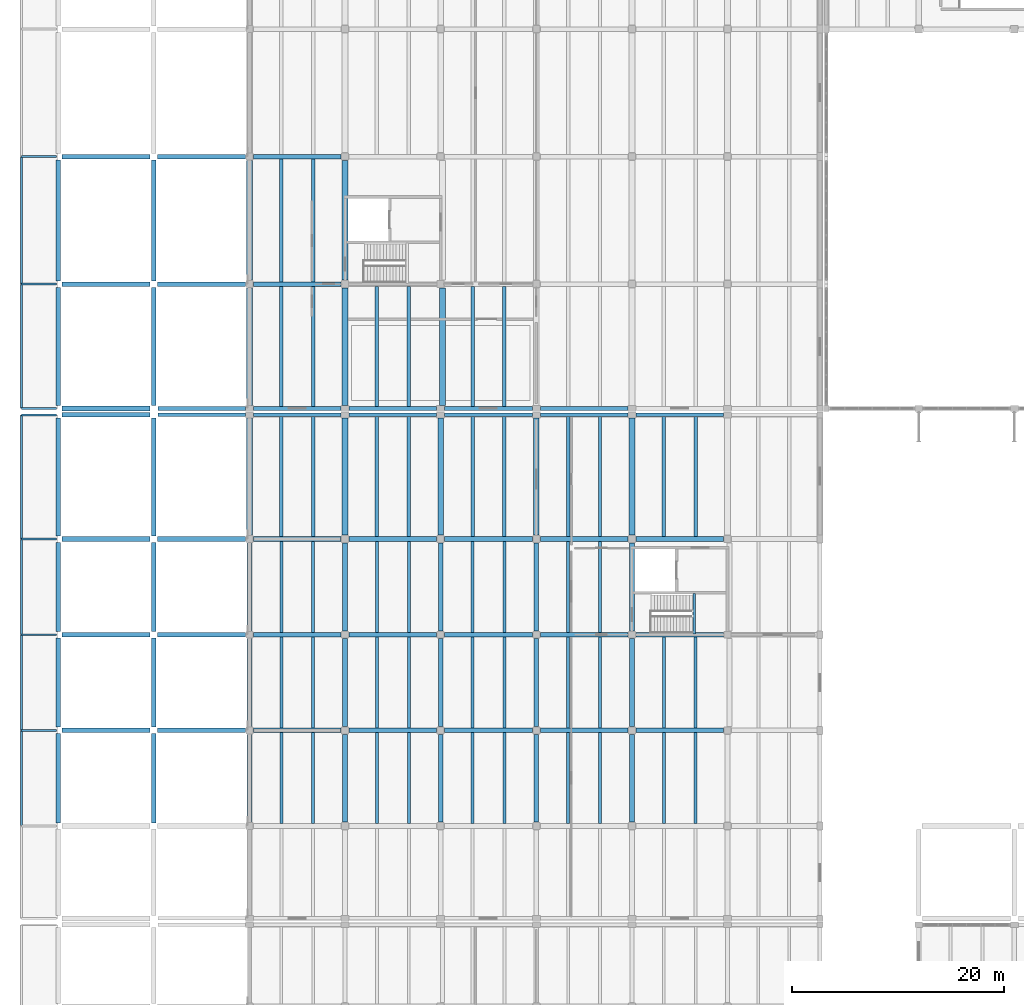
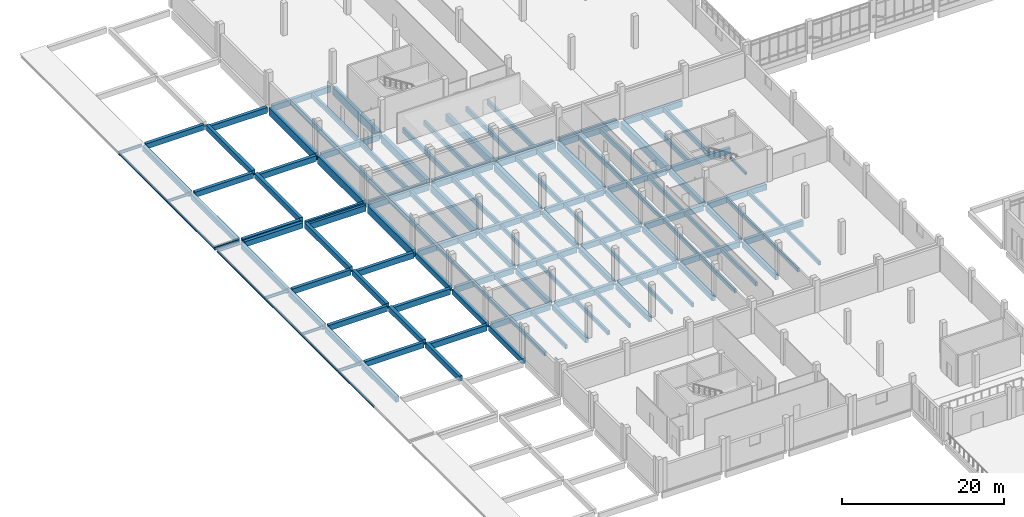
# One storey, part 21 of 110: 137 beams.
"""IFC4 building model written with IfcOpenShell, lengths in metres."""

from ifc_helpers import new_model, si_unit, direction, frame, origin, origin_2d, place, context, subcontext, project, spatial, rectangle, i_section, extrude, material, material_profile, profile_set, type_object, element, save


model = new_model("IFC4")

# Units and contexts
model_context = context("Model", 3, precision=1e-05, world=origin(), true_north=direction((0.0, 1.0)))
body_context = subcontext(model_context, "Body", "Model", "MODEL_VIEW")
ifc_project = project(units=[si_unit("LENGTHUNIT", "METRE"), si_unit("AREAUNIT", "SQUARE_METRE"), si_unit("VOLUMEUNIT", "CUBIC_METRE"), si_unit("PLANEANGLEUNIT", "RADIAN"), si_unit("MASSUNIT", "GRAM", prefix="KILO")], contexts=[model_context])

# Site, building, storey
site_placement = place(None, origin())
site = spatial("IfcSite", under=ifc_project, at=site_placement, CompositionType="ELEMENT")
building_placement = place(site_placement, origin())
building = spatial("IfcBuilding", under=site, at=building_placement, Name="Zacnel Wholesale Market", CompositionType="ELEMENT")
storey_placement = place(building_placement, frame((0.0, 0.0, 6.300048828125)))
storey = spatial("IfcBuildingStorey", under=building, at=storey_placement, Name="L02", CompositionType="ELEMENT", Elevation=6.300048828125)

# Beams
ifc_material_1 = material(Name="Precast concrete C45/55", Category="concrete")
ifc_material_profile_1 = material_profile(ifc_material_1, rectangle(XDim=0.280029296875, YDim=0.60009765625, at=origin_2d()), Name="DT RIB 280x600")
ifc_profile_set_1 = profile_set([ifc_material_profile_1], Name="Precast concrete C45/55")
beam_type_1 = type_object("IfcBeamType", Name="BM-DT600", PredefinedType="JOIST", material=ifc_profile_set_1)
for number, where, z_axis, x_axis, name in (
    (1, (21.0, 57.22509765625, -0.6201171875), (0.0, 1.0, 0.0), (-1.0, 0.0, 0.0), "Precast secondary joist L02-0203"),
    (2, (24.0, 57.22509765625, -0.6201171875), (0.0, 1.0, 0.0), (-1.0, 0.0, 0.0), "Precast secondary joist L02-0204"),
    (3, (30.0, 57.22509765625, -0.6201171875), (0.0, 1.0, 0.0), (-1.0, 0.0, 0.0), "Precast secondary joist L02-0205"),
    (4, (33.0, 57.22509765625, -0.6201171875), (0.0, 1.0, 0.0), (-1.0, 0.0, 0.0), "Precast secondary joist L02-0206"),
    (5, (39.0, 57.22509765625, -0.6201171875), (0.0, 1.0, 0.0), (-1.0, 0.0, 0.0), "Precast secondary joist L02-0207"),
    (6, (42.0, 57.22509765625, -0.6201171875), (0.0, 1.0, 0.0), (-1.0, 0.0, 0.0), "Precast secondary joist L02-0208"),
    (7, (48.0, 57.22509765625, -0.6201171875), (0.0, 1.0, 0.0), (-1.0, 0.0, 0.0), "Precast secondary joist L02-0209"),
    (8, (51.0, 57.22509765625, -0.6201171875), (0.0, 1.0, 0.0), (-1.0, 0.0, 0.0), "Precast secondary joist L02-0210"),
    (9, (57.0, 57.22509765625, -0.6201171875), (0.0, 1.0, 0.0), (-1.0, 0.0, 0.0), "Precast secondary joist L02-0211"),
    (10, (60.0, 57.22509765625, -0.6201171875), (0.0, 1.0, 0.0), (-1.0, 0.0, 0.0), "Precast secondary joist L02-0212"),
    (11, (21.0, 66.22509765625, -0.6201171875), (0.0, 1.0, 0.0), (-1.0, 0.0, 0.0), "Precast secondary joist L02-0223"),
    (12, (24.0, 66.22509765625, -0.6201171875), (0.0, 1.0, 0.0), (-1.0, 0.0, 0.0), "Precast secondary joist L02-0224"),
    (13, (30.0, 66.22509765625, -0.6201171875), (0.0, 1.0, 0.0), (-1.0, 0.0, 0.0), "Precast secondary joist L02-0225"),
    (14, (33.0, 66.22509765625, -0.6201171875), (0.0, 1.0, 0.0), (-1.0, 0.0, 0.0), "Precast secondary joist L02-0226"),
    (15, (39.0, 66.22509765625, -0.6201171875), (0.0, 1.0, 0.0), (-1.0, 0.0, 0.0), "Precast secondary joist L02-0227"),
    (16, (42.0, 66.22509765625, -0.6201171875), (0.0, 1.0, 0.0), (-1.0, 0.0, 0.0), "Precast secondary joist L02-0228"),
    (17, (48.0, 66.22509765625, -0.6201171875), (0.0, 1.0, 0.0), (-1.0, 0.0, 0.0), "Precast secondary joist L02-0229"),
    (18, (51.0, 66.22509765625, -0.6201171875), (0.0, 1.0, 0.0), (-1.0, 0.0, 0.0), "Precast secondary joist L02-0230"),
    (19, (57.0, 66.22509765625, -0.6201171875), (0.0, 1.0, 0.0), (-1.0, 0.0, 0.0), "Precast secondary joist L02-0231"),
    (20, (60.0, 66.22509765625, -0.6201171875), (0.0, 1.0, 0.0), (-1.0, 0.0, 0.0), "Precast secondary joist L02-0232"),
    (21, (21.0, 75.22509765625, -0.6201171875), (0.0, 1.0, 0.0), (-1.0, 0.0, 0.0), "Precast secondary joist L02-0241"),
    (22, (24.0, 75.22509765625, -0.6201171875), (0.0, 1.0, 0.0), (-1.0, 0.0, 0.0), "Precast secondary joist L02-0242"),
    (23, (30.0, 75.22509765625, -0.6201171875), (0.0, 1.0, 0.0), (-1.0, 0.0, 0.0), "Precast secondary joist L02-0243"),
    (24, (33.0, 75.22509765625, -0.6201171875), (0.0, 1.0, 0.0), (-1.0, 0.0, 0.0), "Precast secondary joist L02-0244"),
    (25, (39.0, 75.22509765625, -0.6201171875), (0.0, 1.0, 0.0), (-1.0, 0.0, 0.0), "Precast secondary joist L02-0245"),
    (26, (42.0, 75.22509765625, -0.6201171875), (0.0, 1.0, 0.0), (-1.0, 0.0, 0.0), "Precast secondary joist L02-0246"),
    (27, (48.0, 75.22509765625, -0.6201171875), (0.0, 1.0, 0.0), (-1.0, 0.0, 0.0), "Precast secondary joist L02-0247"),
    (28, (51.0, 75.22509765625, -0.6201171875), (0.0, 1.0, 0.0), (-1.0, 0.0, 0.0), "Precast secondary joist L02-0248"),
):
    element("IfcBeam", number, at=place(storey_placement, frame(where, z_axis=z_axis, x_axis=x_axis)), inside=storey, type_object=beam_type_1, Name=name, PredefinedType="JOIST", context=body_context, shape_type="SweptSolid", body=[
        extrude(rectangle(XDim=0.280029296875, YDim=0.60009765625, at=origin_2d()), origin(), (0.0, 0.0, 1.0), 8.5498046875),
    ])
ifc_material_2 = material(Name="Precast concrete C45/55", Category="concrete")
ifc_material_profile_2 = material_profile(ifc_material_2, rectangle(XDim=0.320068359375, YDim=0.75, at=origin_2d()), Name="DT RIB 320x750")
ifc_profile_set_2 = profile_set([ifc_material_profile_2], Name="Precast concrete C45/55")
beam_type_2 = type_object("IfcBeamType", Name="BM-DT750", PredefinedType="JOIST", material=ifc_profile_set_2)
for number, where, z_axis, x_axis, name in (
    (29, (21.0, 84.22509765625, -0.695068359375), (0.0, 1.0, 0.0), (-1.0, 0.0, 0.0), "Precast secondary joist L02-0259"),
    (30, (24.0, 84.22509765625, -0.695068359375), (0.0, 1.0, 0.0), (-1.0, 0.0, 0.0), "Precast secondary joist L02-0260"),
    (31, (30.0, 84.22509765625, -0.695068359375), (0.0, 1.0, 0.0), (-1.0, 0.0, 0.0), "Precast secondary joist L02-0261"),
    (32, (33.0, 84.22509765625, -0.695068359375), (0.0, 1.0, 0.0), (-1.0, 0.0, 0.0), "Precast secondary joist L02-0262"),
    (33, (39.0, 84.22509765625, -0.695068359375), (0.0, 1.0, 0.0), (-1.0, 0.0, 0.0), "Precast secondary joist L02-0263"),
    (34, (42.0, 84.22509765625, -0.695068359375), (0.0, 1.0, 0.0), (-1.0, 0.0, 0.0), "Precast secondary joist L02-0264"),
    (35, (48.0, 84.22509765625, -0.695068359375), (0.0, 1.0, 0.0), (-1.0, 0.0, 0.0), "Precast secondary joist L02-0265"),
    (36, (51.0, 84.22509765625, -0.695068359375), (0.0, 1.0, 0.0), (-1.0, 0.0, 0.0), "Precast secondary joist L02-0266"),
    (37, (57.0, 84.22509765625, -0.695068359375), (0.0, 1.0, 0.0), (-1.0, 0.0, 0.0), "Precast secondary joist L02-0267"),
    (38, (60.0, 84.22509765625, -0.695068359375), (0.0, 1.0, 0.0), (-1.0, 0.0, 0.0), "Precast secondary joist L02-0268"),
    (39, (21.0, 96.47509765625, -0.695068359375), (0.0, 1.0, 0.0), (-1.0, 0.0, 0.0), "Precast secondary joist L02-0279"),
    (40, (24.0, 96.47509765625, -0.695068359375), (0.0, 1.0, 0.0), (-1.0, 0.0, 0.0), "Precast secondary joist L02-0280"),
    (41, (30.0, 96.47509765625, -0.695068359375), (0.0, 1.0, 0.0), (-1.0, 0.0, 0.0), "Precast secondary joist L02-0281"),
    (42, (33.0, 96.47509765625, -0.695068359375), (0.0, 1.0, 0.0), (-1.0, 0.0, 0.0), "Precast secondary joist L02-0282"),
    (43, (39.0, 96.47509765625, -0.695068359375), (0.0, 1.0, 0.0), (-1.0, 0.0, 0.0), "Precast secondary joist L02-0283"),
    (44, (42.0, 96.47509765625, -0.695068359375), (0.0, 1.0, 0.0), (-1.0, 0.0, 0.0), "Precast secondary joist L02-0284"),
):
    element("IfcBeam", number, at=place(storey_placement, frame(where, z_axis=z_axis, x_axis=x_axis)), inside=storey, type_object=beam_type_2, Name=name, PredefinedType="JOIST", context=body_context, shape_type="SweptSolid", body=[
        extrude(rectangle(XDim=0.320068359375, YDim=0.75, at=origin_2d()), origin(), (0.0, 0.0, 1.0), 11.2998046875),
    ])
for number, where, z_axis, x_axis, name in (
    (45, (21.0, 108.22509765625, -0.695068359375), (0.0, 1.0, 0.0), (-1.0, 0.0, 0.0), "Precast secondary joist L02-0291"),
    (46, (24.0, 108.22509765625, -0.695068359375), (0.0, 1.0, 0.0), (-1.0, 0.0, 0.0), "Precast secondary joist L02-0292"),
):
    element("IfcBeam", number, at=place(storey_placement, frame(where, z_axis=z_axis, x_axis=x_axis)), inside=storey, type_object=beam_type_2, Name=name, PredefinedType="JOIST", context=body_context, shape_type="SweptSolid", body=[
        extrude(rectangle(XDim=0.320068359375, YDim=0.75, at=origin_2d()), origin(), (0.0, 0.0, 1.0), 11.5498046875),
    ])
ifc_material_3 = material(Name="Precast concrete C45/55", Category="concrete")
ifc_material_profile_3 = material_profile(ifc_material_3, rectangle(XDim=0.25, YDim=0.35009765625, at=origin_2d()), Name="LN 250x350")
ifc_profile_set_3 = profile_set([ifc_material_profile_3], Name="Precast concrete C45/55")
beam_type_3 = type_object("IfcBeamType", Name="BM-LN350", PredefinedType="LINTEL", material=ifc_profile_set_3)
beam_1_placement = place(storey_placement, frame((59.860107421875, 75.080078125, 2.074951171875), z_axis=(0.0, 1.0, 0.0), x_axis=(-1.0, 0.0, 0.0)))
element("IfcBeam", 47, at=beam_1_placement, inside=storey, type_object=beam_type_3, Name="Stair ST-10 half-landing bearing beam", PredefinedType="LINTEL", context=body_context, shape_type="SweptSolid", body=[
    extrude(rectangle(XDim=0.25, YDim=0.35009765625, at=origin_2d()), origin(), (0.0, 0.0, 1.0), 3.7900390625),
])
ifc_material_4 = material(Name="Precast concrete C45/55", Category="concrete")
ifc_material_profile_4 = material_profile(ifc_material_4, rectangle(XDim=0.550048828125, YDim=1.14990234375, at=origin_2d()), Name="PG 550x1150")
ifc_profile_set_4 = profile_set([ifc_material_profile_4], Name="Precast concrete C45/55")
beam_type_4 = type_object("IfcBeamType", Name="BM-PG1150", PredefinedType="T_BEAM", material=ifc_profile_set_4)
for number, where, z_axis, x_axis, name in (
    (48, (18.0, 84.375, -0.89501953125), (0.0, 1.0, 0.0), (-1.0, 0.0, 0.0), "Precast girder Y-0331"),
    (49, (18.0, 96.574951171875, -0.89501953125), (0.0, 1.0, 0.0), (-1.0, 0.0, 0.0), "Precast girder Y-0332"),
):
    element("IfcBeam", number, at=place(storey_placement, frame(where, z_axis=z_axis, x_axis=x_axis)), inside=storey, type_object=beam_type_4, Name=name, PredefinedType="T_BEAM", context=body_context, shape_type="SweptSolid", body=[
        extrude(rectangle(XDim=0.550048828125, YDim=1.14990234375, at=origin_2d()), origin(), (0.0, 0.0, 1.0), 11.050048828125),
    ])
beam_2_placement = place(storey_placement, frame((18.0, 108.375, -0.89501953125), z_axis=(0.0, 1.0, 0.0), x_axis=(-1.0, 0.0, 0.0)))
element("IfcBeam", 50, at=beam_2_placement, inside=storey, type_object=beam_type_4, Name="Precast girder Y-0333", PredefinedType="T_BEAM", context=body_context, shape_type="SweptSolid", body=[
    extrude(rectangle(XDim=0.550048828125, YDim=1.14990234375, at=origin_2d()), origin(), (0.0, 0.0, 1.0), 11.25),
])
for number, where, z_axis, x_axis, name in (
    (51, (27.0, 84.375, -0.89501953125), (0.0, 1.0, 0.0), (-1.0, 0.0, 0.0), "Precast girder Y-0343"),
    (52, (27.0, 96.574951171875, -0.89501953125), (0.0, 1.0, 0.0), (-1.0, 0.0, 0.0), "Precast girder Y-0344"),
):
    element("IfcBeam", number, at=place(storey_placement, frame(where, z_axis=z_axis, x_axis=x_axis)), inside=storey, type_object=beam_type_4, Name=name, PredefinedType="T_BEAM", context=body_context, shape_type="SweptSolid", body=[
        extrude(rectangle(XDim=0.550048828125, YDim=1.14990234375, at=origin_2d()), origin(), (0.0, 0.0, 1.0), 11.050048828125),
    ])
beam_3_placement = place(storey_placement, frame((27.0, 108.375, -0.89501953125), z_axis=(0.0, 1.0, 0.0), x_axis=(-1.0, 0.0, 0.0)))
element("IfcBeam", 53, at=beam_3_placement, inside=storey, type_object=beam_type_4, Name="Precast girder Y-0345", PredefinedType="T_BEAM", context=body_context, shape_type="SweptSolid", body=[
    extrude(rectangle(XDim=0.550048828125, YDim=1.14990234375, at=origin_2d()), origin(), (0.0, 0.0, 1.0), 11.25),
])
for number, where, z_axis, x_axis, name in (
    (54, (36.0, 84.375, -0.89501953125), (0.0, 1.0, 0.0), (-1.0, 0.0, 0.0), "Precast girder Y-0355"),
    (55, (36.179931640625, 96.574951171875, -0.89501953125), (0.0, 1.0, 0.0), (-1.0, 0.0, 0.0), "Precast girder Y-0356"),
    (56, (45.0, 84.375, -0.89501953125), (0.0, 1.0, 0.0), (-1.0, 0.0, 0.0), "Precast girder Y-0367"),
    (57, (54.0, 84.375, -0.89501953125), (0.0, 1.0, 0.0), (-1.0, 0.0, 0.0), "Precast girder Y-0382"),
):
    element("IfcBeam", number, at=place(storey_placement, frame(where, z_axis=z_axis, x_axis=x_axis)), inside=storey, type_object=beam_type_4, Name=name, PredefinedType="T_BEAM", context=body_context, shape_type="SweptSolid", body=[
        extrude(rectangle(XDim=0.550048828125, YDim=1.14990234375, at=origin_2d()), origin(), (0.0, 0.0, 1.0), 11.050048828125),
    ])
ifc_material_5 = material(Name="Precast concrete C45/55", Category="concrete")
ifc_material_profile_5 = material_profile(ifc_material_5, rectangle(XDim=0.449951171875, YDim=0.800048828125, at=origin_2d()), Name="PG 450x800")
ifc_profile_set_5 = profile_set([ifc_material_profile_5], Name="Precast concrete C45/55")
beam_type_5 = type_object("IfcBeamType", Name="BM-PG800", PredefinedType="BEAM", material=ifc_profile_set_5)
for number, where, z_axis, x_axis, name in (
    (58, (0.35009765625, 66.0, -0.16015625), (1.0, 0.0, 0.0), (0.0, 1.0, 0.0), "Precast girder X-0173"),
    (59, (0.35009765625, 75.0, -0.16015625), (1.0, 0.0, 0.0), (0.0, 1.0, 0.0), "Precast girder X-0185"),
    (60, (0.35009765625, 84.0, -0.16015625), (1.0, 0.0, 0.0), (0.0, 1.0, 0.0), "Precast girder X-0197"),
):
    element("IfcBeam", number, at=place(storey_placement, frame(where, z_axis=z_axis, x_axis=x_axis)), inside=storey, type_object=beam_type_5, Name=name, PredefinedType="BEAM", context=body_context, shape_type="SweptSolid", body=[
        extrude(rectangle(XDim=0.449951171875, YDim=0.800048828125, at=origin_2d()), origin(), (0.0, 0.0, 1.0), 8.2998046875),
    ])
for number, where, z_axis, x_axis, name in (
    (61, (0.375, 95.699951171875, -0.16015625), (1.0, 0.0, 0.0), (0.0, 1.0, 0.0), "Precast girder X-0209"),
    (62, (0.375, 96.300048828125, -0.16015625), (1.0, 0.0, 0.0), (0.0, 1.0, 0.0), "Precast girder X-0221"),
):
    element("IfcBeam", number, at=place(storey_placement, frame(where, z_axis=z_axis, x_axis=x_axis)), inside=storey, type_object=beam_type_5, Name=name, PredefinedType="BEAM", context=body_context, shape_type="SweptSolid", body=[
        extrude(rectangle(XDim=0.449951171875, YDim=0.800048828125, at=origin_2d()), origin(), (0.0, 0.0, 1.0), 8.25),
    ])
for number, where, z_axis, x_axis, name in (
    (63, (0.35009765625, 108.0, -0.16015625), (1.0, 0.0, 0.0), (0.0, 1.0, 0.0), "Precast girder X-0242"),
    (64, (0.35009765625, 120.0, -0.16015625), (1.0, 0.0, 0.0), (0.0, 1.0, 0.0), "Precast girder X-0250"),
):
    element("IfcBeam", number, at=place(storey_placement, frame(where, z_axis=z_axis, x_axis=x_axis)), inside=storey, type_object=beam_type_5, Name=name, PredefinedType="BEAM", context=body_context, shape_type="SweptSolid", body=[
        extrude(rectangle(XDim=0.449951171875, YDim=0.800048828125, at=origin_2d()), origin(), (0.0, 0.0, 1.0), 8.2998046875),
    ])
for number, where, z_axis, x_axis, name in (
    (65, (0.0, 57.300048828125, -0.16015625), (0.0, 1.0, 0.0), (-1.0, 0.0, 0.0), "Precast girder Y-0304"),
    (66, (0.0, 66.300048828125, -0.16015625), (0.0, 1.0, 0.0), (-1.0, 0.0, 0.0), "Precast girder Y-0305"),
    (67, (0.0, 75.300048828125, -0.16015625), (0.0, 1.0, 0.0), (-1.0, 0.0, 0.0), "Precast girder Y-0306"),
):
    element("IfcBeam", number, at=place(storey_placement, frame(where, z_axis=z_axis, x_axis=x_axis)), inside=storey, type_object=beam_type_5, Name=name, PredefinedType="BEAM", context=body_context, shape_type="SweptSolid", body=[
        extrude(rectangle(XDim=0.449951171875, YDim=0.800048828125, at=origin_2d()), origin(), (0.0, 0.0, 1.0), 8.39990234375),
    ])
for number, where, z_axis, x_axis, name in (
    (68, (0.0, 84.300048828125, -0.16015625), (0.0, 1.0, 0.0), (-1.0, 0.0, 0.0), "Precast girder Y-0307"),
    (69, (0.0, 96.574951171875, -0.16015625), (0.0, 1.0, 0.0), (-1.0, 0.0, 0.0), "Precast girder Y-0308"),
):
    element("IfcBeam", number, at=place(storey_placement, frame(where, z_axis=z_axis, x_axis=x_axis)), inside=storey, type_object=beam_type_5, Name=name, PredefinedType="BEAM", context=body_context, shape_type="SweptSolid", body=[
        extrude(rectangle(XDim=0.449951171875, YDim=0.800048828125, at=origin_2d()), origin(), (0.0, 0.0, 1.0), 11.125),
    ])
beam_4_placement = place(storey_placement, frame((0.0, 108.300048828125, -0.16015625), z_axis=(0.0, 1.0, 0.0), x_axis=(-1.0, 0.0, 0.0)))
element("IfcBeam", 70, at=beam_4_placement, inside=storey, type_object=beam_type_5, Name="Precast girder Y-0309", PredefinedType="BEAM", context=body_context, shape_type="SweptSolid", body=[
    extrude(rectangle(XDim=0.449951171875, YDim=0.800048828125, at=origin_2d()), origin(), (0.0, 0.0, 1.0), 11.39990234375),
])
for number, where, z_axis, x_axis, name in (
    (71, (9.0, 57.300048828125, -0.16015625), (0.0, 1.0, 0.0), (-1.0, 0.0, 0.0), "Precast girder Y-0316"),
    (72, (9.0, 66.300048828125, -0.16015625), (0.0, 1.0, 0.0), (-1.0, 0.0, 0.0), "Precast girder Y-0317"),
    (73, (9.0, 75.300048828125, -0.16015625), (0.0, 1.0, 0.0), (-1.0, 0.0, 0.0), "Precast girder Y-0318"),
):
    element("IfcBeam", number, at=place(storey_placement, frame(where, z_axis=z_axis, x_axis=x_axis)), inside=storey, type_object=beam_type_5, Name=name, PredefinedType="BEAM", context=body_context, shape_type="SweptSolid", body=[
        extrude(rectangle(XDim=0.449951171875, YDim=0.800048828125, at=origin_2d()), origin(), (0.0, 0.0, 1.0), 8.39990234375),
    ])
for number, where, z_axis, x_axis, name in (
    (74, (9.0, 84.300048828125, -0.16015625), (0.0, 1.0, 0.0), (-1.0, 0.0, 0.0), "Precast girder Y-0319"),
    (75, (9.0, 96.574951171875, -0.16015625), (0.0, 1.0, 0.0), (-1.0, 0.0, 0.0), "Precast girder Y-0320"),
):
    element("IfcBeam", number, at=place(storey_placement, frame(where, z_axis=z_axis, x_axis=x_axis)), inside=storey, type_object=beam_type_5, Name=name, PredefinedType="BEAM", context=body_context, shape_type="SweptSolid", body=[
        extrude(rectangle(XDim=0.449951171875, YDim=0.800048828125, at=origin_2d()), origin(), (0.0, 0.0, 1.0), 11.125),
    ])
beam_5_placement = place(storey_placement, frame((9.0, 108.300048828125, -0.16015625), z_axis=(0.0, 1.0, 0.0), x_axis=(-1.0, 0.0, 0.0)))
element("IfcBeam", 76, at=beam_5_placement, inside=storey, type_object=beam_type_5, Name="Precast girder Y-0321", PredefinedType="BEAM", context=body_context, shape_type="SweptSolid", body=[
    extrude(rectangle(XDim=0.449951171875, YDim=0.800048828125, at=origin_2d()), origin(), (0.0, 0.0, 1.0), 11.39990234375),
])
for number, where, z_axis, x_axis, name in (
    (77, (18.0, 57.375, -0.719970703125), (0.0, 1.0, 0.0), (-1.0, 0.0, 0.0), "Precast girder Y-0328"),
    (78, (18.0, 66.375, -0.719970703125), (0.0, 1.0, 0.0), (-1.0, 0.0, 0.0), "Precast girder Y-0329"),
    (79, (18.0, 75.375, -0.719970703125), (0.0, 1.0, 0.0), (-1.0, 0.0, 0.0), "Precast girder Y-0330"),
    (80, (27.0, 57.375, -0.719970703125), (0.0, 1.0, 0.0), (-1.0, 0.0, 0.0), "Precast girder Y-0340"),
    (81, (27.0, 66.375, -0.719970703125), (0.0, 1.0, 0.0), (-1.0, 0.0, 0.0), "Precast girder Y-0341"),
    (82, (27.0, 75.375, -0.719970703125), (0.0, 1.0, 0.0), (-1.0, 0.0, 0.0), "Precast girder Y-0342"),
    (83, (36.0, 57.375, -0.719970703125), (0.0, 1.0, 0.0), (-1.0, 0.0, 0.0), "Precast girder Y-0352"),
    (84, (36.0, 66.375, -0.719970703125), (0.0, 1.0, 0.0), (-1.0, 0.0, 0.0), "Precast girder Y-0353"),
    (85, (36.0, 75.375, -0.719970703125), (0.0, 1.0, 0.0), (-1.0, 0.0, 0.0), "Precast girder Y-0354"),
    (86, (45.0, 57.375, -0.719970703125), (0.0, 1.0, 0.0), (-1.0, 0.0, 0.0), "Precast girder Y-0364"),
    (87, (45.0, 66.375, -0.719970703125), (0.0, 1.0, 0.0), (-1.0, 0.0, 0.0), "Precast girder Y-0365"),
    (88, (45.0, 75.375, -0.719970703125), (0.0, 1.0, 0.0), (-1.0, 0.0, 0.0), "Precast girder Y-0366"),
    (89, (54.0, 57.375, -0.719970703125), (0.0, 1.0, 0.0), (-1.0, 0.0, 0.0), "Precast girder Y-0379"),
    (90, (54.0, 66.375, -0.719970703125), (0.0, 1.0, 0.0), (-1.0, 0.0, 0.0), "Precast girder Y-0380"),
    (91, (54.0, 75.375, -0.719970703125), (0.0, 1.0, 0.0), (-1.0, 0.0, 0.0), "Precast girder Y-0381"),
):
    element("IfcBeam", number, at=place(storey_placement, frame(where, z_axis=z_axis, x_axis=x_axis)), inside=storey, type_object=beam_type_5, Name=name, PredefinedType="BEAM", context=body_context, shape_type="SweptSolid", body=[
        extrude(rectangle(XDim=0.449951171875, YDim=0.800048828125, at=origin_2d()), origin(), (0.0, 0.0, 1.0), 8.25),
    ])
ifc_material_6 = material(Name="Precast concrete C45/55", Category="concrete")
ifc_material_profile_6 = material_profile(ifc_material_6, rectangle(XDim=0.449951171875, YDim=0.85009765625, at=origin_2d()), Name="PG 450x850")
ifc_profile_set_6 = profile_set([ifc_material_profile_6], Name="Precast concrete C45/55")
beam_type_6 = type_object("IfcBeamType", Name="BM-PG850", PredefinedType="BEAM", material=ifc_profile_set_6)
beam_6_placement = place(storey_placement, frame((9.35009765625, 66.0, -0.72509765625), z_axis=(1.0, 0.0, 0.0), x_axis=(0.0, 1.0, 0.0)))
element("IfcBeam", 92, at=beam_6_placement, inside=storey, type_object=beam_type_6, Name="Precast girder X-0174", PredefinedType="BEAM", context=body_context, shape_type="SweptSolid", body=[
    extrude(rectangle(XDim=0.449951171875, YDim=0.85009765625, at=origin_2d()), origin(), (0.0, 0.0, 1.0), 8.27490234375),
])
for number, where, z_axis, x_axis, name in (
    (93, (18.375, 66.0, -0.7451171875), (1.0, 0.0, 0.0), (0.0, 1.0, 0.0), "Precast girder X-0175"),
    (94, (27.375, 66.0, -0.7451171875), (1.0, 0.0, 0.0), (0.0, 1.0, 0.0), "Precast girder X-0176"),
    (95, (36.375, 66.0, -0.7451171875), (1.0, 0.0, 0.0), (0.0, 1.0, 0.0), "Precast girder X-0177"),
    (96, (45.375, 66.0, -0.7451171875), (1.0, 0.0, 0.0), (0.0, 1.0, 0.0), "Precast girder X-0178"),
    (97, (54.375, 66.0, -0.7451171875), (1.0, 0.0, 0.0), (0.0, 1.0, 0.0), "Precast girder X-0179"),
):
    element("IfcBeam", number, at=place(storey_placement, frame(where, z_axis=z_axis, x_axis=x_axis)), inside=storey, type_object=beam_type_6, Name=name, PredefinedType="BEAM", context=body_context, shape_type="SweptSolid", body=[
        extrude(rectangle(XDim=0.449951171875, YDim=0.85009765625, at=origin_2d()), origin(), (0.0, 0.0, 1.0), 8.25),
    ])
beam_7_placement = place(storey_placement, frame((9.35009765625, 75.0, -0.72509765625), z_axis=(1.0, 0.0, 0.0), x_axis=(0.0, 1.0, 0.0)))
element("IfcBeam", 98, at=beam_7_placement, inside=storey, type_object=beam_type_6, Name="Precast girder X-0186", PredefinedType="BEAM", context=body_context, shape_type="SweptSolid", body=[
    extrude(rectangle(XDim=0.449951171875, YDim=0.85009765625, at=origin_2d()), origin(), (0.0, 0.0, 1.0), 8.27490234375),
])
for number, where, z_axis, x_axis, name in (
    (99, (18.375, 75.0, -0.7451171875), (1.0, 0.0, 0.0), (0.0, 1.0, 0.0), "Precast girder X-0187"),
    (100, (27.375, 75.0, -0.7451171875), (1.0, 0.0, 0.0), (0.0, 1.0, 0.0), "Precast girder X-0188"),
    (101, (36.375, 75.0, -0.7451171875), (1.0, 0.0, 0.0), (0.0, 1.0, 0.0), "Precast girder X-0189"),
    (102, (45.375, 75.0, -0.7451171875), (1.0, 0.0, 0.0), (0.0, 1.0, 0.0), "Precast girder X-0190"),
    (103, (54.375, 75.0, -0.7451171875), (1.0, 0.0, 0.0), (0.0, 1.0, 0.0), "Precast girder X-0191"),
):
    element("IfcBeam", number, at=place(storey_placement, frame(where, z_axis=z_axis, x_axis=x_axis)), inside=storey, type_object=beam_type_6, Name=name, PredefinedType="BEAM", context=body_context, shape_type="SweptSolid", body=[
        extrude(rectangle(XDim=0.449951171875, YDim=0.85009765625, at=origin_2d()), origin(), (0.0, 0.0, 1.0), 8.25),
    ])
beam_8_placement = place(storey_placement, frame((9.35009765625, 84.0, -0.72509765625), z_axis=(1.0, 0.0, 0.0), x_axis=(0.0, 1.0, 0.0)))
element("IfcBeam", 104, at=beam_8_placement, inside=storey, type_object=beam_type_6, Name="Precast girder X-0198", PredefinedType="BEAM", context=body_context, shape_type="SweptSolid", body=[
    extrude(rectangle(XDim=0.449951171875, YDim=0.85009765625, at=origin_2d()), origin(), (0.0, 0.0, 1.0), 8.27490234375),
])
for number, where, z_axis, x_axis, name in (
    (105, (18.375, 84.0, -0.7451171875), (1.0, 0.0, 0.0), (0.0, 1.0, 0.0), "Precast girder X-0199"),
    (106, (27.375, 84.0, -0.7451171875), (1.0, 0.0, 0.0), (0.0, 1.0, 0.0), "Precast girder X-0200"),
    (107, (36.375, 84.0, -0.7451171875), (1.0, 0.0, 0.0), (0.0, 1.0, 0.0), "Precast girder X-0201"),
    (108, (45.375, 84.0, -0.7451171875), (1.0, 0.0, 0.0), (0.0, 1.0, 0.0), "Precast girder X-0202"),
    (109, (54.375, 84.0, -0.7451171875), (1.0, 0.0, 0.0), (0.0, 1.0, 0.0), "Precast girder X-0203"),
):
    element("IfcBeam", number, at=place(storey_placement, frame(where, z_axis=z_axis, x_axis=x_axis)), inside=storey, type_object=beam_type_6, Name=name, PredefinedType="BEAM", context=body_context, shape_type="SweptSolid", body=[
        extrude(rectangle(XDim=0.449951171875, YDim=0.85009765625, at=origin_2d()), origin(), (0.0, 0.0, 1.0), 8.25),
    ])
beam_9_placement = place(storey_placement, frame((9.35009765625, 108.0, -0.72509765625), z_axis=(1.0, 0.0, 0.0), x_axis=(0.0, 1.0, 0.0)))
element("IfcBeam", 110, at=beam_9_placement, inside=storey, type_object=beam_type_6, Name="Precast girder X-0243", PredefinedType="BEAM", context=body_context, shape_type="SweptSolid", body=[
    extrude(rectangle(XDim=0.449951171875, YDim=0.85009765625, at=origin_2d()), origin(), (0.0, 0.0, 1.0), 8.27490234375),
])
beam_10_placement = place(storey_placement, frame((18.375, 108.0, -0.7451171875), z_axis=(1.0, 0.0, 0.0), x_axis=(0.0, 1.0, 0.0)))
element("IfcBeam", 111, at=beam_10_placement, inside=storey, type_object=beam_type_6, Name="Precast girder X-0244", PredefinedType="BEAM", context=body_context, shape_type="SweptSolid", body=[
    extrude(rectangle(XDim=0.449951171875, YDim=0.85009765625, at=origin_2d()), origin(), (0.0, 0.0, 1.0), 8.25),
])
beam_11_placement = place(storey_placement, frame((9.35009765625, 120.0, -0.72509765625), z_axis=(1.0, 0.0, 0.0), x_axis=(0.0, 1.0, 0.0)))
element("IfcBeam", 112, at=beam_11_placement, inside=storey, type_object=beam_type_6, Name="Precast girder X-0251", PredefinedType="BEAM", context=body_context, shape_type="SweptSolid", body=[
    extrude(rectangle(XDim=0.449951171875, YDim=0.85009765625, at=origin_2d()), origin(), (0.0, 0.0, 1.0), 8.27490234375),
])
beam_12_placement = place(storey_placement, frame((18.375, 120.0, -0.7451171875), z_axis=(1.0, 0.0, 0.0), x_axis=(0.0, 1.0, 0.0)))
element("IfcBeam", 113, at=beam_12_placement, inside=storey, type_object=beam_type_6, Name="Precast girder X-0252", PredefinedType="BEAM", context=body_context, shape_type="SweptSolid", body=[
    extrude(rectangle(XDim=0.449951171875, YDim=0.85009765625, at=origin_2d()), origin(), (0.0, 0.0, 1.0), 8.25),
])
ifc_material_7 = material(Name="Precast concrete C45/55", Category="concrete")
ifc_material_profile_7 = material_profile(ifc_material_7, rectangle(XDim=0.35009765625, YDim=0.89990234375, at=origin_2d()), Name="SP 350x900")
ifc_profile_set_7 = profile_set([ifc_material_profile_7], Name="Precast concrete C45/55")
beam_type_7 = type_object("IfcBeamType", Name="BM-SP900", PredefinedType="SPANDREL", material=ifc_profile_set_7)
for number, where, z_axis, x_axis, name in (
    (114, (9.375, 95.699951171875, -0.75), (1.0, 0.0, 0.0), (0.0, 1.0, 0.0), "Precast girder X-0210"),
    (115, (18.375, 95.699951171875, -0.77001953125), (1.0, 0.0, 0.0), (0.0, 1.0, 0.0), "Precast girder X-0211"),
    (116, (27.375, 95.699951171875, -0.77001953125), (1.0, 0.0, 0.0), (0.0, 1.0, 0.0), "Precast girder X-0212"),
    (117, (36.375, 95.699951171875, -0.77001953125), (1.0, 0.0, 0.0), (0.0, 1.0, 0.0), "Precast girder X-0213"),
    (118, (45.375, 95.699951171875, -0.77001953125), (1.0, 0.0, 0.0), (0.0, 1.0, 0.0), "Precast girder X-0214"),
    (119, (54.375, 95.699951171875, -0.77001953125), (1.0, 0.0, 0.0), (0.0, 1.0, 0.0), "Precast girder X-0215"),
    (120, (9.375, 96.300048828125, -0.75), (1.0, 0.0, 0.0), (0.0, 1.0, 0.0), "Precast girder X-0222"),
    (121, (18.375, 96.300048828125, -0.77001953125), (1.0, 0.0, 0.0), (0.0, 1.0, 0.0), "Precast girder X-0223"),
    (122, (27.375, 96.300048828125, -0.77001953125), (1.0, 0.0, 0.0), (0.0, 1.0, 0.0), "Precast girder X-0224"),
    (123, (36.375, 96.300048828125, -0.77001953125), (1.0, 0.0, 0.0), (0.0, 1.0, 0.0), "Precast girder X-0225"),
    (124, (45.375, 96.300048828125, -0.77001953125), (1.0, 0.0, 0.0), (0.0, 1.0, 0.0), "Precast girder X-0226"),
):
    element("IfcBeam", number, at=place(storey_placement, frame(where, z_axis=z_axis, x_axis=x_axis)), inside=storey, type_object=beam_type_7, Name=name, PredefinedType="SPANDREL", context=body_context, shape_type="SweptSolid", body=[
        extrude(rectangle(XDim=0.35009765625, YDim=0.89990234375, at=origin_2d()), origin(), (0.0, 0.0, 1.0), 8.25),
    ])
ifc_material_8 = material(Name="Steel S355", Category="steel")
ifc_material_profile_8 = material_profile(ifc_material_8, i_section(OverallWidth=0.172119140625, OverallDepth=0.35791015625, WebThickness=0.0078125, FlangeThickness=0.01318359375, FilletRadius=0.010986328125, at=origin_2d()), Name="W360X57.8")
ifc_profile_set_8 = profile_set([ifc_material_profile_8], Name="Steel S355")
beam_type_8 = type_object("IfcBeamType", Name="BM-STL-W360", PredefinedType="BEAM", material=ifc_profile_set_8)
for number, where, z_axis, x_axis, name in (
    (125, (-3.449951171875, 57.02001953125, 0.14501953125), (0.0, 1.0, 0.0), (-1.0, 0.0, 0.0), "Dock canopy fascia beam 57-66"),
    (126, (-3.449951171875, 66.02001953125, 0.14501953125), (0.0, 1.0, 0.0), (-1.0, 0.0, 0.0), "Dock canopy fascia beam 66-75"),
    (127, (-3.449951171875, 75.02001953125, 0.14501953125), (0.0, 1.0, 0.0), (-1.0, 0.0, 0.0), "Dock canopy fascia beam 75-84"),
):
    element("IfcBeam", number, at=place(storey_placement, frame(where, z_axis=z_axis, x_axis=x_axis)), inside=storey, type_object=beam_type_8, Name=name, PredefinedType="BEAM", context=body_context, shape_type="SweptSolid", body=[
        extrude(i_section(OverallWidth=0.172119140625, OverallDepth=0.35791015625, WebThickness=0.0078125, FlangeThickness=0.01318359375, FilletRadius=0.010986328125, at=origin_2d()), origin(), (0.0, 0.0, 1.0), 8.9599609375),
    ])
for number, where, z_axis, x_axis, name in (
    (128, (-3.449951171875, 84.02001953125, 0.14501953125), (0.0, 1.0, 0.0), (-1.0, 0.0, 0.0), "Dock canopy fascia beam 84-96"),
    (129, (-3.449951171875, 96.320068359375, 0.14501953125), (0.0, 1.0, 0.0), (-1.0, 0.0, 0.0), "Dock canopy fascia beam 96-108"),
):
    element("IfcBeam", number, at=place(storey_placement, frame(where, z_axis=z_axis, x_axis=x_axis)), inside=storey, type_object=beam_type_8, Name=name, PredefinedType="BEAM", context=body_context, shape_type="SweptSolid", body=[
        extrude(i_section(OverallWidth=0.172119140625, OverallDepth=0.35791015625, WebThickness=0.0078125, FlangeThickness=0.01318359375, FilletRadius=0.010986328125, at=origin_2d()), origin(), (0.0, 0.0, 1.0), 11.659912109375),
    ])
beam_13_placement = place(storey_placement, frame((-3.449951171875, 108.02001953125, 0.14501953125), z_axis=(0.0, 1.0, 0.0), x_axis=(-1.0, 0.0, 0.0)))
element("IfcBeam", 130, at=beam_13_placement, inside=storey, type_object=beam_type_8, Name="Dock canopy fascia beam 108-120", PredefinedType="BEAM", context=body_context, shape_type="SweptSolid", body=[
    extrude(i_section(OverallWidth=0.172119140625, OverallDepth=0.35791015625, WebThickness=0.0078125, FlangeThickness=0.01318359375, FilletRadius=0.010986328125, at=origin_2d()), origin(), (0.0, 0.0, 1.0), 11.9599609375),
])
ifc_material_9 = material(Name="Steel S355", Category="steel")
ifc_material_profile_9 = material_profile(ifc_material_9, i_section(OverallWidth=0.178955078125, OverallDepth=0.409912109375, WebThickness=0.0087890625, FlangeThickness=0.014404296875, FilletRadius=0.011962890625, at=origin_2d()), Name="W410X67")
ifc_profile_set_9 = profile_set([ifc_material_profile_9], Name="Steel S355")
beam_type_9 = type_object("IfcBeamType", Name="BM-STL-W410", PredefinedType="BEAM", material=ifc_profile_set_9)
for number, where, z_axis, x_axis, name in (
    (131, (-0.14990234375, 75.0, 0.118896484375), (-1.0, 0.0, 0.0), (0.0, -1.0, 0.0), "Dock canopy steel outrigger 08"),
    (132, (-0.14990234375, 95.699951171875, 0.118896484375), (-1.0, 0.0, 0.0), (0.0, -1.0, 0.0), "Dock canopy steel outrigger 10"),
    (133, (-0.14990234375, 108.0, 0.118896484375), (-1.0, 0.0, 0.0), (0.0, -1.0, 0.0), "Dock canopy steel outrigger 12"),
):
    element("IfcBeam", number, at=place(storey_placement, frame(where, z_axis=z_axis, x_axis=x_axis)), inside=storey, type_object=beam_type_9, Name=name, PredefinedType="BEAM", context=body_context, shape_type="SweptSolid", body=[
        extrude(i_section(OverallWidth=0.178955078125, OverallDepth=0.409912109375, WebThickness=0.0087890625, FlangeThickness=0.014404296875, FilletRadius=0.011962890625, at=origin_2d()), origin(), (0.0, 0.0, 1.0), 3.330078125),
    ])
ifc_material_10 = material(Name="Steel S355", Category="steel")
ifc_material_profile_10 = material_profile(ifc_material_10, i_section(OverallWidth=0.19091796875, OverallDepth=0.4599609375, WebThickness=0.010009765625, FlangeThickness=0.01611328125, FilletRadius=0.012939453125, at=origin_2d()), Name="W460X82")
ifc_profile_set_10 = profile_set([ifc_material_profile_10], Name="Steel S355")
beam_type_10 = type_object("IfcBeamType", Name="BM-STL-W460", PredefinedType="BEAM", material=ifc_profile_set_10)
for number, where, z_axis, x_axis, name in (
    (134, (-0.14990234375, 66.0, 0.093994140625), (-1.0, 0.0, 0.0), (0.0, -1.0, 0.0), "Dock canopy steel outrigger 07"),
    (135, (-0.14990234375, 84.0, 0.093994140625), (-1.0, 0.0, 0.0), (0.0, -1.0, 0.0), "Dock canopy steel outrigger 09"),
    (136, (-0.14990234375, 96.300048828125, 0.093994140625), (-1.0, 0.0, 0.0), (0.0, -1.0, 0.0), "Dock canopy steel outrigger 11"),
    (137, (-0.14990234375, 120.0, 0.093994140625), (-1.0, 0.0, 0.0), (0.0, -1.0, 0.0), "Dock canopy steel outrigger 13"),
):
    element("IfcBeam", number, at=place(storey_placement, frame(where, z_axis=z_axis, x_axis=x_axis)), inside=storey, type_object=beam_type_10, Name=name, PredefinedType="BEAM", context=body_context, shape_type="SweptSolid", body=[
        extrude(i_section(OverallWidth=0.19091796875, OverallDepth=0.4599609375, WebThickness=0.010009765625, FlangeThickness=0.01611328125, FilletRadius=0.012939453125, at=origin_2d()), origin(), (0.0, 0.0, 1.0), 3.330078125),
    ])

save(model, "model.ifc")
